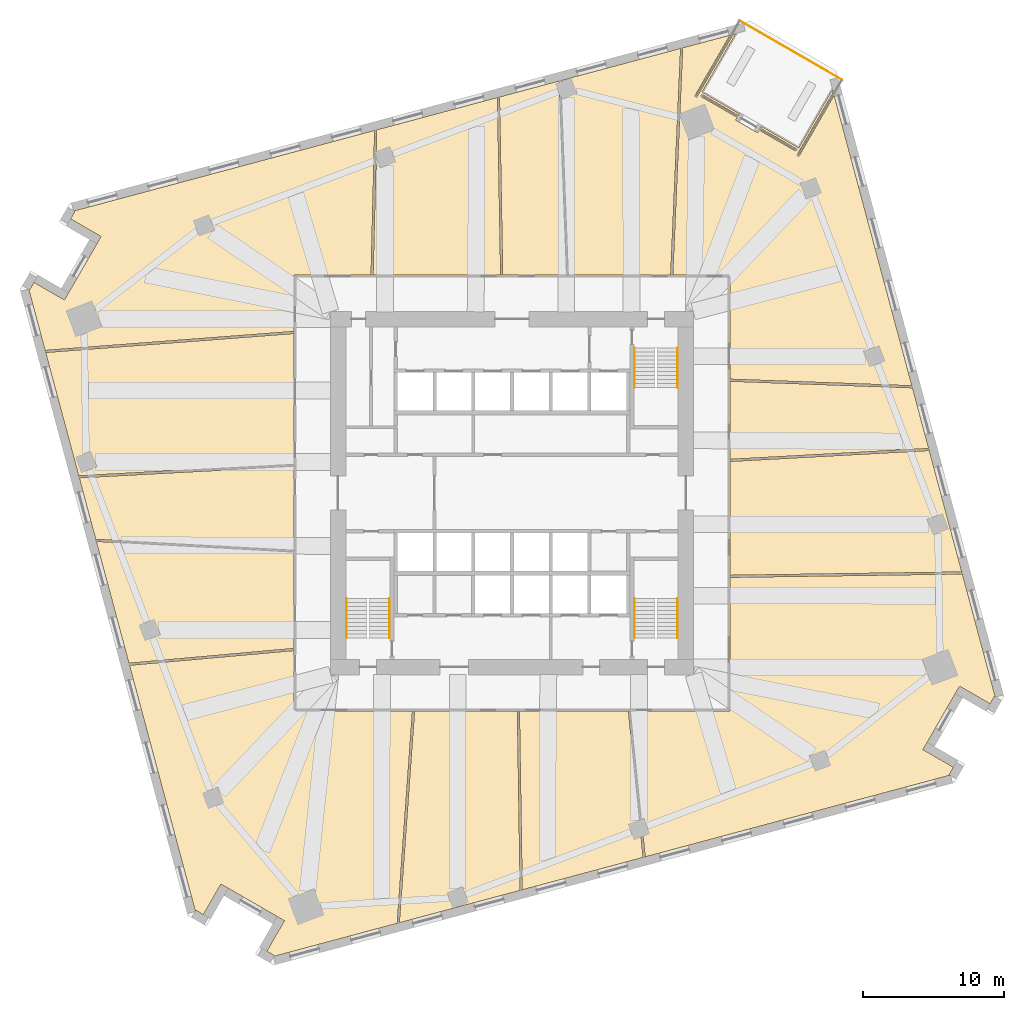
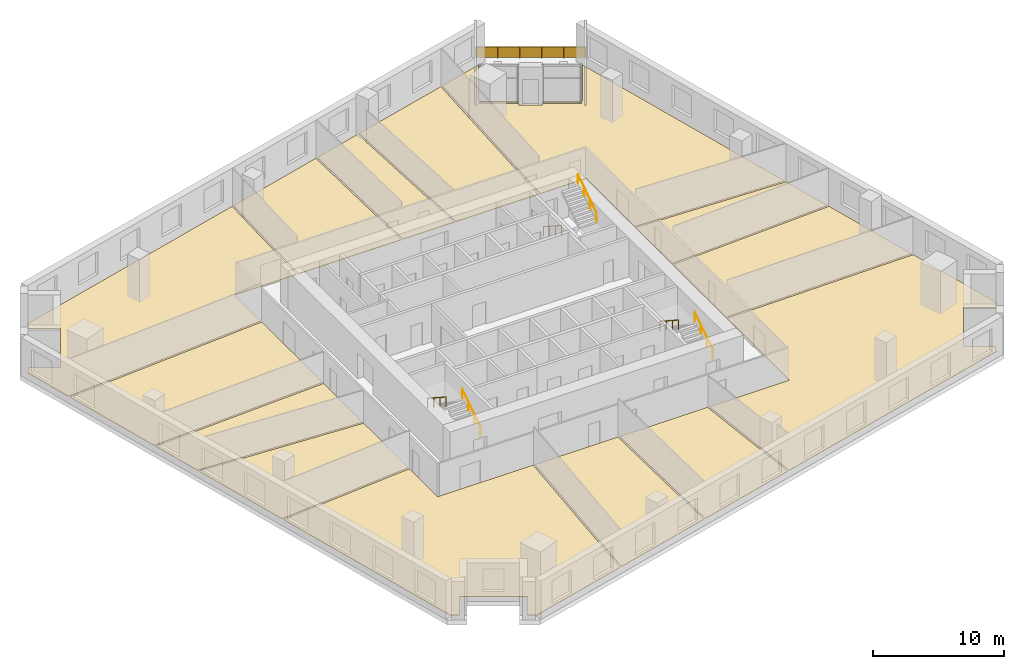
# One storey, part 12 of 13: 14 coverings, 7 railings.
"""IFC4 building model written with IfcOpenShell, lengths in metres."""

from ifc_helpers import new_model, si_unit, direction, frame, origin, origin_2d, place, context, subcontext, project, spatial, polyline, rectangle, circle, outline, extrude, material, layer, layer_set, type_object, element, save


model = new_model("IFC4")

# Units and contexts
model_context = context("Model", 3, precision=1e-05, world=origin(), true_north=direction((0.0, 1.0)))
body_context = subcontext(model_context, "Body", "Model", "MODEL_VIEW")
ifc_project = project(units=[si_unit("LENGTHUNIT", "METRE"), si_unit("AREAUNIT", "SQUARE_METRE"), si_unit("VOLUMEUNIT", "CUBIC_METRE"), si_unit("PLANEANGLEUNIT", "RADIAN"), si_unit("MASSUNIT", "GRAM", prefix="KILO")], contexts=[model_context])

# Site, building, storey
site_placement = place(None, origin())
site = spatial("IfcSite", under=ifc_project, at=site_placement, CompositionType="ELEMENT")
building_placement = place(site_placement, origin())
building = spatial("IfcBuilding", under=site, at=building_placement, Name="Dilmun Exchange Tower", CompositionType="ELEMENT")
storey_placement = place(building_placement, frame((0.0, 0.0, 86.10009765625)))
storey = spatial("IfcBuildingStorey", under=building, at=storey_placement, Name="L19", CompositionType="ELEMENT", Elevation=86.10009765625)

# Coverings
ifc_material_1 = material(Name="Carpet floor finish 50")
ifc_layer_1 = layer(ifc_material_1, 0.050048828125)
ifc_layer_set_1 = layer_set([ifc_layer_1], Name="Carpet floor finish 50")
covering_type_1 = type_object("IfcCoveringType", Name="Carpet floor finish 50", PredefinedType="FLOORING", material=ifc_layer_set_1)
covering_1_placement = place(storey_placement, origin())
element("IfcCovering", 1, at=covering_1_placement, inside=storey, type_object=covering_type_1, Name="Carpet floor finish 50 Analyst office", PredefinedType="FLOORING", context=body_context, shape_type="SweptSolid", body=[
    extrude(outline(polyline([(-15.47509765625, 11.327392578125), (-15.47509765625, 2.050048828125), (-30.764404296875, 1.228759765625), (-33.109619140625, 9.98095703125), (-15.47509765625, 11.327392578125)])), origin(), (0.0, 0.0, 1.0), 0.0498046875),
])
covering_2_placement = place(storey_placement, origin())
element("IfcCovering", 2, at=covering_2_placement, inside=storey, type_object=covering_type_1, Name="Carpet floor finish 50 Break-out lounge 1", PredefinedType="FLOORING", context=body_context, shape_type="SweptSolid", body=[
    extrude(outline(polyline([(-15.47509765625, -4.19921875), (-15.47509765625, -11.030029296875), (-27.197998046875, -12.080322265625), (-29.515380859375, -3.431884765625), (-15.47509765625, -4.19921875)])), origin(), (0.0, 0.0, 1.0), 0.0498046875),
])
covering_3_placement = place(storey_placement, origin())
element("IfcCovering", 3, at=covering_3_placement, inside=storey, type_object=covering_type_1, Name="Carpet floor finish 50 Open office 1", PredefinedType="FLOORING", context=body_context, shape_type="SweptSolid", body=[
    extrude(outline(polyline([(-10.010009765625, 15.47509765625), (-15.47509765625, 15.47509765625), (-15.47509765625, 11.477783203125), (-33.14892578125, 10.12841796875), (-34.311279296875, 14.46630859375), (-34.25, 14.430908203125), (-34.249755859375, 14.4306640625), (-34.24951171875, 14.4306640625), (-34.24951171875, 14.430419921875), (-34.249267578125, 14.430419921875), (-34.2490234375, 14.430419921875), (-34.248779296875, 14.430419921875), (-34.24853515625, 14.430419921875), (-34.248291015625, 14.4306640625), (-34.248291015625, 14.4306640625), (-34.248046875, 14.4306640625), (-34.247802734375, 14.430908203125), (-34.247802734375, 14.430908203125), (-34.24755859375, 14.430908203125), (-34.247314453125, 14.43115234375), (-34.247314453125, 14.431396484375), (-34.247314453125, 14.431396484375), (-33.9423828125, 14.959228515625), (-31.779296875, 13.710205078125), (-31.779052734375, 13.710205078125), (-31.77880859375, 13.7099609375), (-31.77880859375, 13.7099609375), (-31.778564453125, 13.7099609375), (-31.7783203125, 13.7099609375), (-31.778076171875, 13.7099609375), (-31.77783203125, 13.7099609375), (-31.777587890625, 13.7099609375), (-31.777587890625, 13.7099609375), (-31.77734375, 13.710205078125), (-31.777099609375, 13.710205078125), (-31.777099609375, 13.710205078125), (-31.77685546875, 13.71044921875), (-31.776611328125, 13.710693359375), (-31.776611328125, 13.710693359375), (-31.776611328125, 13.7109375), (-31.4765625, 14.23046875), (-29.4765625, 17.694580078125), (-29.476318359375, 17.694580078125), (-29.176513671875, 18.214111328125), (-29.176513671875, 18.21435546875), (-29.17626953125, 18.214599609375), (-29.17626953125, 18.21484375), (-29.17626953125, 18.21484375), (-29.17626953125, 18.215087890625), (-29.17626953125, 18.21533203125), (-29.17626953125, 18.215576171875), (-29.17626953125, 18.2158203125), (-29.17626953125, 18.2158203125), (-29.176513671875, 18.216064453125), (-29.176513671875, 18.21630859375), (-29.176513671875, 18.21630859375), (-29.1767578125, 18.216552734375), (-29.177001953125, 18.216796875), (-29.177001953125, 18.216796875), (-29.17724609375, 18.216796875), (-31.340576171875, 19.4658203125), (-31.035888671875, 19.99365234375), (-31.035888671875, 19.993896484375), (-31.03564453125, 19.993896484375), (-31.03564453125, 19.994140625), (-31.03564453125, 19.994384765625), (-31.03564453125, 19.994384765625), (-31.03564453125, 19.99462890625), (-31.03564453125, 19.994873046875), (-31.03564453125, 19.9951171875), (-31.03564453125, 19.995361328125), (-31.035888671875, 19.99560546875), (-31.035888671875, 19.99560546875), (-31.035888671875, 19.995849609375), (-31.0361328125, 19.99609375), (-31.036376953125, 19.99609375), (-31.036376953125, 19.99609375), (-31.03662109375, 19.996337890625), (-31.097900390625, 20.03173828125), (-9.752685546875, 25.751220703125), (-10.010009765625, 15.47509765625)])), origin(), (0.0, 0.0, 1.0), 0.0498046875),
])
covering_4_placement = place(storey_placement, origin())
element("IfcCovering", 4, at=covering_4_placement, inside=storey, type_object=covering_type_1, Name="Carpet floor finish 50 Open office 2", PredefinedType="FLOORING", context=body_context, shape_type="SweptSolid", body=[
    extrude(outline(polyline([(-15.47509765625, -11.1806640625), (-15.47509765625, -15.47509765625), (-7.068603515625, -15.47509765625), (-8.151611328125, -30.548583984375), (-16.915771484375, -32.897216796875), (-16.88037109375, -32.835693359375), (-16.880126953125, -32.83544921875), (-16.880126953125, -32.835205078125), (-16.8798828125, -32.835205078125), (-16.8798828125, -32.8349609375), (-16.8798828125, -32.834716796875), (-16.8798828125, -32.834716796875), (-16.8798828125, -32.83447265625), (-16.880126953125, -32.834228515625), (-16.880126953125, -32.833984375), (-16.880126953125, -32.833740234375), (-16.88037109375, -32.83349609375), (-16.88037109375, -32.83349609375), (-16.880615234375, -32.833251953125), (-16.880615234375, -32.833251953125), (-16.880859375, -32.8330078125), (-16.881103515625, -32.8330078125), (-17.40869140625, -32.5283203125), (-16.15966796875, -30.364990234375), (-16.15966796875, -30.36474609375), (-16.159423828125, -30.364501953125), (-16.159423828125, -30.364501953125), (-16.159423828125, -30.3642578125), (-16.159423828125, -30.364013671875), (-16.159423828125, -30.364013671875), (-16.159423828125, -30.36376953125), (-16.159423828125, -30.363525390625), (-16.159423828125, -30.36328125), (-16.15966796875, -30.363037109375), (-16.15966796875, -30.36279296875), (-16.159912109375, -30.36279296875), (-16.159912109375, -30.362548828125), (-16.16015625, -30.362548828125), (-16.16015625, -30.3623046875), (-16.160400390625, -30.3623046875), (-16.679931640625, -30.062255859375), (-20.14404296875, -28.062255859375), (-20.144287109375, -28.062255859375), (-20.663818359375, -27.76220703125), (-20.663818359375, -27.76220703125), (-20.6640625, -27.76220703125), (-20.664306640625, -27.761962890625), (-20.664306640625, -27.761962890625), (-20.66455078125, -27.761962890625), (-20.664794921875, -27.761962890625), (-20.6650390625, -27.761962890625), (-20.665283203125, -27.76220703125), (-20.665283203125, -27.76220703125), (-20.66552734375, -27.76220703125), (-20.665771484375, -27.76220703125), (-20.666015625, -27.762451171875), (-20.666015625, -27.762451171875), (-20.666259765625, -27.7626953125), (-20.666259765625, -27.7626953125), (-20.66650390625, -27.762939453125), (-21.915283203125, -29.92626953125), (-22.443115234375, -29.62158203125), (-22.443359375, -29.62158203125), (-22.443603515625, -29.62158203125), (-22.443603515625, -29.621337890625), (-22.44384765625, -29.621337890625), (-22.444091796875, -29.621337890625), (-22.444091796875, -29.621337890625), (-22.4443359375, -29.621337890625), (-22.444580078125, -29.62158203125), (-22.44482421875, -29.62158203125), (-22.445068359375, -29.62158203125), (-22.4453125, -29.62158203125), (-22.4453125, -29.621826171875), (-22.445556640625, -29.621826171875), (-22.445556640625, -29.6220703125), (-22.44580078125, -29.622314453125), (-22.44580078125, -29.622314453125), (-22.481201171875, -29.683837890625), (-27.15869140625, -12.2275390625), (-15.47509765625, -11.1806640625)])), origin(), (0.0, 0.0, 1.0), 0.0498046875),
])
covering_5_placement = place(storey_placement, origin())
element("IfcCovering", 5, at=covering_5_placement, inside=storey, type_object=covering_type_1, Name="Carpet floor finish 50 Break-out lounge 2", PredefinedType="FLOORING", context=body_context, shape_type="SweptSolid", body=[
    extrude(outline(polyline([(-0.80908203125, 15.47509765625), (-9.860107421875, 15.47509765625), (-9.601806640625, 25.791748046875), (-1.0322265625, 28.087890625), (-0.80908203125, 15.47509765625)])), origin(), (0.0, 0.0, 1.0), 0.0498046875),
])
covering_6_placement = place(storey_placement, origin())
element("IfcCovering", 6, at=covering_6_placement, inside=storey, type_object=covering_type_1, Name="Carpet floor finish 50 Garden lounge", PredefinedType="FLOORING", context=body_context, shape_type="SweptSolid", body=[
    extrude(outline(polyline([(13.49267578125, 28.469482421875), (16.144287109375, 26.9384765625), (16.072998046875, 26.814697265625), (13.486083984375, 28.30810546875), (13.48583984375, 28.308349609375), (13.485595703125, 28.308349609375), (13.485595703125, 28.308349609375), (13.4853515625, 28.30859375), (13.485107421875, 28.30859375), (13.48486328125, 28.30859375), (13.484619140625, 28.30859375), (13.484619140625, 28.308349609375), (13.484375, 28.308349609375), (13.484130859375, 28.308349609375), (13.48388671875, 28.30810546875), (13.48388671875, 28.30810546875), (13.483642578125, 28.307861328125), (13.4833984375, 28.307861328125), (13.4833984375, 28.3076171875), (13.4833984375, 28.3076171875), (13.4033203125, 28.1689453125), (13.4033203125, 28.168701171875), (13.403076171875, 28.168701171875), (13.403076171875, 28.16845703125), (13.403076171875, 28.168212890625), (13.403076171875, 28.16796875), (13.403076171875, 28.167724609375), (13.403076171875, 28.16748046875), (13.403076171875, 28.16748046875), (13.403076171875, 28.167236328125), (13.4033203125, 28.1669921875), (13.4033203125, 28.1669921875), (13.4033203125, 28.166748046875), (13.403564453125, 28.16650390625), (13.40380859375, 28.16650390625), (13.40380859375, 28.166259765625), (13.404052734375, 28.166259765625), (15.990966796875, 26.672607421875), (15.882080078125, 26.48388671875), (15.8818359375, 26.483642578125), (15.8818359375, 26.4833984375), (15.881591796875, 26.4833984375), (15.881591796875, 26.483154296875), (15.881591796875, 26.48291015625), (15.881591796875, 26.48291015625), (15.881591796875, 26.482666015625), (15.8818359375, 26.482421875), (15.8818359375, 26.482177734375), (15.8818359375, 26.48193359375), (15.882080078125, 26.481689453125), (15.882080078125, 26.481689453125), (15.882080078125, 26.4814453125), (15.88232421875, 26.4814453125), (15.882568359375, 26.481201171875), (15.8828125, 26.481201171875), (17.44140625, 25.581298828125), (17.441650390625, 25.5810546875), (17.44189453125, 25.5810546875), (17.44189453125, 25.580810546875), (17.442138671875, 25.580810546875), (17.4423828125, 25.580810546875), (17.442626953125, 25.580810546875), (17.44287109375, 25.580810546875), (17.443115234375, 25.5810546875), (17.443115234375, 25.5810546875), (17.443359375, 25.5810546875), (17.443603515625, 25.581298828125), (17.443603515625, 25.581298828125), (17.44384765625, 25.581298828125), (17.444091796875, 25.58154296875), (17.444091796875, 25.581787109375), (17.444091796875, 25.581787109375), (17.55322265625, 25.770751953125), (20.14013671875, 24.277099609375), (20.140380859375, 24.277099609375), (20.140380859375, 24.27685546875), (20.140625, 24.27685546875), (20.140869140625, 24.27685546875), (20.14111328125, 24.27685546875), (20.14111328125, 24.27685546875), (20.141357421875, 24.27685546875), (20.1416015625, 24.27685546875), (20.141845703125, 24.27685546875), (20.14208984375, 24.277099609375), (20.14208984375, 24.277099609375), (20.142333984375, 24.277099609375), (20.142578125, 24.27734375), (20.142578125, 24.277587890625), (20.142578125, 24.277587890625), (20.142822265625, 24.27783203125), (20.222900390625, 24.41650390625), (20.222900390625, 24.41650390625), (20.222900390625, 24.416748046875), (20.222900390625, 24.4169921875), (20.22314453125, 24.4169921875), (20.22314453125, 24.417236328125), (20.22314453125, 24.41748046875), (20.22314453125, 24.417724609375), (20.222900390625, 24.41796875), (20.222900390625, 24.418212890625), (20.222900390625, 24.418212890625), (20.222900390625, 24.41845703125), (20.22265625, 24.418701171875), (20.22265625, 24.418701171875), (20.222412109375, 24.4189453125), (20.222412109375, 24.4189453125), (20.22216796875, 24.419189453125), (17.63525390625, 25.91259765625), (17.706787109375, 26.03662109375), (20.358642578125, 24.505615234375), (22.756103515625, 28.658203125), (22.80859375, 28.462890625), (20.219970703125, 23.979248046875), (20.2197265625, 23.97900390625), (20.2197265625, 23.97900390625), (20.2197265625, 23.978759765625), (20.219482421875, 23.978515625), (20.219482421875, 23.978515625), (20.219482421875, 23.978271484375), (20.219482421875, 23.97802734375), (20.2197265625, 23.977783203125), (20.2197265625, 23.9775390625), (20.2197265625, 23.977294921875), (20.219970703125, 23.977294921875), (20.219970703125, 23.97705078125), (20.22021484375, 23.976806640625), (20.22021484375, 23.976806640625), (20.220458984375, 23.976806640625), (20.220703125, 23.9765625), (20.359130859375, 23.896484375), (20.359375, 23.896484375), (20.359619140625, 23.896484375), (20.359619140625, 23.896484375), (20.35986328125, 23.896240234375), (20.360107421875, 23.896240234375), (20.3603515625, 23.896240234375), (20.360595703125, 23.896240234375), (20.360595703125, 23.896484375), (20.36083984375, 23.896484375), (20.361083984375, 23.896484375), (20.361083984375, 23.896484375), (20.361328125, 23.896728515625), (20.361572265625, 23.896728515625), (20.36181640625, 23.89697265625), (20.36181640625, 23.897216796875), (20.36181640625, 23.897216796875), (22.868408203125, 28.23876953125), (28.392822265625, 7.621337890625), (15.47509765625, 8.08837890625), (15.47509765625, 15.47509765625), (11.4140625, 15.47509765625), (12.1201171875, 31.612060546875), (15.470703125, 32.509765625), (12.964111328125, 28.16845703125), (12.964111328125, 28.168212890625), (12.964111328125, 28.16796875), (12.964111328125, 28.16796875), (12.9638671875, 28.167724609375), (12.9638671875, 28.16748046875), (12.9638671875, 28.167236328125), (12.9638671875, 28.1669921875), (12.964111328125, 28.1669921875), (12.964111328125, 28.166748046875), (12.964111328125, 28.16650390625), (12.964111328125, 28.166259765625), (12.96435546875, 28.166259765625), (12.964599609375, 28.166015625), (12.964599609375, 28.166015625), (12.96484375, 28.165771484375), (12.96484375, 28.165771484375), (13.103515625, 28.085693359375), (13.103759765625, 28.085693359375), (13.103759765625, 28.08544921875), (13.10400390625, 28.08544921875), (13.104248046875, 28.08544921875), (13.1044921875, 28.08544921875), (13.1044921875, 28.08544921875), (13.104736328125, 28.08544921875), (13.10498046875, 28.08544921875), (13.105224609375, 28.08544921875), (13.10546875, 28.085693359375), (13.10546875, 28.085693359375), (13.105712890625, 28.085693359375), (13.105712890625, 28.0859375), (13.10595703125, 28.086181640625), (13.106201171875, 28.086181640625), (13.106201171875, 28.08642578125), (15.694580078125, 32.56982421875), (15.89013671875, 32.622314453125), (13.49267578125, 28.469482421875)])), origin(), (0.0, 0.0, 1.0), 0.0498046875),
])
covering_7_placement = place(storey_placement, origin())
element("IfcCovering", 7, at=covering_7_placement, inside=storey, type_object=covering_type_1, Name="Carpet floor finish 50 Open office 3", PredefinedType="FLOORING", context=body_context, shape_type="SweptSolid", body=[
    extrude(outline(polyline([(8.415283203125, -15.47509765625), (15.47509765625, -15.47509765625), (15.47509765625, -5.986328125), (31.974609375, -5.74560546875), (34.311279296875, -14.46630859375), (34.25, -14.430908203125), (34.249755859375, -14.4306640625), (34.24951171875, -14.4306640625), (34.24951171875, -14.430419921875), (34.249267578125, -14.430419921875), (34.2490234375, -14.430419921875), (34.248779296875, -14.430419921875), (34.24853515625, -14.430419921875), (34.248291015625, -14.4306640625), (34.248291015625, -14.4306640625), (34.248046875, -14.4306640625), (34.247802734375, -14.430908203125), (34.247802734375, -14.430908203125), (34.24755859375, -14.430908203125), (34.247314453125, -14.43115234375), (34.247314453125, -14.431396484375), (34.247314453125, -14.431396484375), (33.9423828125, -14.959228515625), (31.779296875, -13.710205078125), (31.779052734375, -13.710205078125), (31.77880859375, -13.7099609375), (31.77880859375, -13.7099609375), (31.778564453125, -13.7099609375), (31.7783203125, -13.7099609375), (31.778076171875, -13.7099609375), (31.77783203125, -13.7099609375), (31.777587890625, -13.7099609375), (31.777587890625, -13.7099609375), (31.77734375, -13.710205078125), (31.777099609375, -13.710205078125), (31.777099609375, -13.710205078125), (31.77685546875, -13.71044921875), (31.776611328125, -13.710693359375), (31.776611328125, -13.710693359375), (31.776611328125, -13.7109375), (31.4765625, -14.23046875), (29.4765625, -17.694580078125), (29.476318359375, -17.694580078125), (29.176513671875, -18.214111328125), (29.176513671875, -18.21435546875), (29.17626953125, -18.214599609375), (29.17626953125, -18.21484375), (29.17626953125, -18.21484375), (29.17626953125, -18.215087890625), (29.17626953125, -18.21533203125), (29.17626953125, -18.215576171875), (29.17626953125, -18.2158203125), (29.17626953125, -18.2158203125), (29.176513671875, -18.216064453125), (29.176513671875, -18.21630859375), (29.176513671875, -18.21630859375), (29.1767578125, -18.216552734375), (29.177001953125, -18.216796875), (29.177001953125, -18.216796875), (29.17724609375, -18.216796875), (31.340576171875, -19.4658203125), (31.035888671875, -19.99365234375), (31.035888671875, -19.993896484375), (31.03564453125, -19.993896484375), (31.03564453125, -19.994140625), (31.03564453125, -19.994384765625), (31.03564453125, -19.994384765625), (31.03564453125, -19.99462890625), (31.03564453125, -19.994873046875), (31.03564453125, -19.9951171875), (31.03564453125, -19.995361328125), (31.035888671875, -19.99560546875), (31.035888671875, -19.99560546875), (31.035888671875, -19.995849609375), (31.0361328125, -19.99609375), (31.036376953125, -19.99609375), (31.036376953125, -19.99609375), (31.03662109375, -19.996337890625), (31.097900390625, -20.03173828125), (9.455322265625, -25.830810546875), (8.415283203125, -15.47509765625)])), origin(), (0.0, 0.0, 1.0), 0.0498046875),
])
covering_8_placement = place(storey_placement, origin())
element("IfcCovering", 8, at=covering_8_placement, inside=storey, type_object=covering_type_1, Name="Carpet floor finish 50 Meeting room", PredefinedType="FLOORING", context=body_context, shape_type="SweptSolid", body=[
    extrude(outline(polyline([(15.47509765625, 2.395263671875), (15.47509765625, 7.9384765625), (28.43359375, 7.4697265625), (29.5859375, 3.168701171875), (15.47509765625, 2.395263671875)])), origin(), (0.0, 0.0, 1.0), 0.0498046875),
])
covering_9_placement = place(storey_placement, origin())
element("IfcCovering", 9, at=covering_9_placement, inside=storey, type_object=covering_type_1, Name="Carpet floor finish 50 Break-out lounge 3", PredefinedType="FLOORING", context=body_context, shape_type="SweptSolid", body=[
    extrude(outline(polyline([(15.47509765625, -5.836181640625), (15.47509765625, 2.2451171875), (29.625732421875, 3.020751953125), (31.9345703125, -5.59619140625), (15.47509765625, -5.836181640625)])), origin(), (0.0, 0.0, 1.0), 0.0498046875),
])

# Railings
ifc_material_2 = material(Name="Stainless steel", Category="steel")
railing_type_1 = type_object("IfcRailingType", Name="Stair handrail 900", PredefinedType="HANDRAIL", material=ifc_material_2)
railing_1_placement = place(storey_placement, frame((8.699951171875, 10.300048828125, 0.181640625)))
element("IfcRailing", 10, at=railing_1_placement, inside=storey, type_object=railing_type_1, Name="L19 ST1 stair handrail 1", PredefinedType="HANDRAIL", context=body_context, shape_type="SweptSolid", body=[
    extrude(circle(Radius=0.02392578125, at=origin_2d()), frame((0.0, 0.0, 0.8759765625), z_axis=(0.0, -0.838672427954, 0.544636170843), x_axis=(1.0, 0.0, 0.0)), (0.0, 0.0, 1.0), 3.338623046875),
    extrude(circle(Radius=0.02099609375, at=origin_2d()), origin(), (0.0, 0.0, 1.0), 0.851806640625),
    extrude(circle(Radius=0.02099609375, at=origin_2d()), frame((0.0, -0.933349609375, 0.606201171875)), (0.0, 0.0, 1.0), 0.851806640625),
    extrude(circle(Radius=0.02099609375, at=origin_2d()), frame((0.0, -1.86669921875, 1.212158203125)), (0.0, 0.0, 1.0), 0.851806640625),
    extrude(circle(Radius=0.02099609375, at=origin_2d()), frame((0.0, -2.800048828125, 1.818359375)), (0.0, 0.0, 1.0), 0.851806640625),
])
for number, where, name in (
    (11, (11.75, 7.5, 2.181640625), "L19 ST1 stair handrail 2"),
    (12, (-8.699951171875, -10.300048828125, 0.181640625), "L19 ST2 stair handrail 1"),
):
    element("IfcRailing", number, at=place(storey_placement, frame(where)), inside=storey, type_object=railing_type_1, Name=name, PredefinedType="HANDRAIL", context=body_context, shape_type="SweptSolid", body=[
        extrude(circle(Radius=0.02392578125, at=origin_2d()), frame((0.0, 0.0, 0.8759765625), z_axis=(0.0, 0.838672427954, 0.544636170843), x_axis=(-1.0, 0.0, 0.0)), (0.0, 0.0, 1.0), 3.338623046875),
        extrude(circle(Radius=0.02099609375, at=origin_2d()), origin(), (0.0, 0.0, 1.0), 0.851806640625),
        extrude(circle(Radius=0.02099609375, at=origin_2d()), frame((0.0, 0.933349609375, 0.606201171875)), (0.0, 0.0, 1.0), 0.851806640625),
        extrude(circle(Radius=0.02099609375, at=origin_2d()), frame((0.0, 1.86669921875, 1.212158203125)), (0.0, 0.0, 1.0), 0.851806640625),
        extrude(circle(Radius=0.02099609375, at=origin_2d()), frame((0.0, 2.800048828125, 1.818359375)), (0.0, 0.0, 1.0), 0.851806640625),
    ])
railing_2_placement = place(storey_placement, frame((-11.75, -7.5, 2.181640625)))
element("IfcRailing", 13, at=railing_2_placement, inside=storey, type_object=railing_type_1, Name="L19 ST2 stair handrail 2", PredefinedType="HANDRAIL", context=body_context, shape_type="SweptSolid", body=[
    extrude(circle(Radius=0.02392578125, at=origin_2d()), frame((0.0, 0.0, 0.8759765625), z_axis=(0.0, -0.838672427954, 0.544636170843), x_axis=(1.0, 0.0, 0.0)), (0.0, 0.0, 1.0), 3.338623046875),
    extrude(circle(Radius=0.02099609375, at=origin_2d()), origin(), (0.0, 0.0, 1.0), 0.851806640625),
    extrude(circle(Radius=0.02099609375, at=origin_2d()), frame((0.0, -0.933349609375, 0.606201171875)), (0.0, 0.0, 1.0), 0.851806640625),
    extrude(circle(Radius=0.02099609375, at=origin_2d()), frame((0.0, -1.86669921875, 1.212158203125)), (0.0, 0.0, 1.0), 0.851806640625),
    extrude(circle(Radius=0.02099609375, at=origin_2d()), frame((0.0, -2.800048828125, 1.818359375)), (0.0, 0.0, 1.0), 0.851806640625),
])
railing_3_placement = place(storey_placement, frame((11.75, -10.300048828125, 0.181640625)))
element("IfcRailing", 14, at=railing_3_placement, inside=storey, type_object=railing_type_1, Name="L19 ST3 stair handrail 1", PredefinedType="HANDRAIL", context=body_context, shape_type="SweptSolid", body=[
    extrude(circle(Radius=0.02392578125, at=origin_2d()), frame((0.0, 0.0, 0.8759765625), z_axis=(0.0, 0.838672427954, 0.544636170843), x_axis=(-1.0, 0.0, 0.0)), (0.0, 0.0, 1.0), 3.338623046875),
    extrude(circle(Radius=0.02099609375, at=origin_2d()), origin(), (0.0, 0.0, 1.0), 0.851806640625),
    extrude(circle(Radius=0.02099609375, at=origin_2d()), frame((0.0, 0.933349609375, 0.606201171875)), (0.0, 0.0, 1.0), 0.851806640625),
    extrude(circle(Radius=0.02099609375, at=origin_2d()), frame((0.0, 1.86669921875, 1.212158203125)), (0.0, 0.0, 1.0), 0.851806640625),
    extrude(circle(Radius=0.02099609375, at=origin_2d()), frame((0.0, 2.800048828125, 1.818359375)), (0.0, 0.0, 1.0), 0.851806640625),
])
railing_4_placement = place(storey_placement, frame((8.699951171875, -7.5, 2.181640625)))
element("IfcRailing", 15, at=railing_4_placement, inside=storey, type_object=railing_type_1, Name="L19 ST3 stair handrail 2", PredefinedType="HANDRAIL", context=body_context, shape_type="SweptSolid", body=[
    extrude(circle(Radius=0.02392578125, at=origin_2d()), frame((0.0, 0.0, 0.8759765625), z_axis=(0.0, -0.838672427954, 0.544636170843), x_axis=(1.0, 0.0, 0.0)), (0.0, 0.0, 1.0), 3.338623046875),
    extrude(circle(Radius=0.02099609375, at=origin_2d()), origin(), (0.0, 0.0, 1.0), 0.851806640625),
    extrude(circle(Radius=0.02099609375, at=origin_2d()), frame((0.0, -0.933349609375, 0.606201171875)), (0.0, 0.0, 1.0), 0.851806640625),
    extrude(circle(Radius=0.02099609375, at=origin_2d()), frame((0.0, -1.86669921875, 1.212158203125)), (0.0, 0.0, 1.0), 0.851806640625),
    extrude(circle(Radius=0.02099609375, at=origin_2d()), frame((0.0, -2.800048828125, 1.818359375)), (0.0, 0.0, 1.0), 0.851806640625),
])

# Coverings
ifc_material_3 = material(Name="Stone floor finish 50", Category="masonry")
ifc_layer_2 = layer(ifc_material_3, 0.050048828125)
ifc_layer_set_2 = layer_set([ifc_layer_2], Name="Stone floor finish 50")
covering_type_2 = type_object("IfcCoveringType", Name="Stone floor finish 50", PredefinedType="FLOORING", material=ifc_layer_set_2)
covering_10_placement = place(storey_placement, origin())
element("IfcCovering", 16, at=covering_10_placement, inside=storey, type_object=covering_type_2, Name="Stone floor finish 50 Reception 1", PredefinedType="FLOORING", context=body_context, shape_type="SweptSolid", body=[
    extrude(outline(polyline([(-15.47509765625, 1.89990234375), (-15.47509765625, -4.049072265625), (-29.556396484375, -3.279296875), (-30.724609375, 1.08056640625), (-15.47509765625, 1.89990234375)])), origin(), (0.0, 0.0, 1.0), 0.0498046875),
])
covering_11_placement = place(storey_placement, origin())
element("IfcCovering", 17, at=covering_11_placement, inside=storey, type_object=covering_type_2, Name="Stone floor finish 50 Reception 2", PredefinedType="FLOORING", context=body_context, shape_type="SweptSolid", body=[
    extrude(outline(polyline([(-6.918212890625, -15.47509765625), (0.380615234375, -15.47509765625), (0.576904296875, -28.2099609375), (-7.998291015625, -30.507568359375), (-6.918212890625, -15.47509765625)])), origin(), (0.0, 0.0, 1.0), 0.0498046875),
])
covering_12_placement = place(storey_placement, origin())
element("IfcCovering", 18, at=covering_12_placement, inside=storey, type_object=covering_type_2, Name="Stone floor finish 50 Reception 3", PredefinedType="FLOORING", context=body_context, shape_type="SweptSolid", body=[
    extrude(outline(polyline([(3.8603515625, 15.47509765625), (-0.6591796875, 15.47509765625), (-0.8828125, 28.1279296875), (3.32763671875, 29.256103515625), (3.8603515625, 15.47509765625)])), origin(), (0.0, 0.0, 1.0), 0.0498046875),
])
covering_13_placement = place(storey_placement, origin())
element("IfcCovering", 19, at=covering_13_placement, inside=storey, type_object=covering_type_2, Name="Stone floor finish 50 Reception 4", PredefinedType="FLOORING", context=body_context, shape_type="SweptSolid", body=[
    extrude(outline(polyline([(0.530517578125, -15.47509765625), (8.2646484375, -15.47509765625), (9.30859375, -25.870361328125), (0.726318359375, -28.169921875), (0.530517578125, -15.47509765625)])), origin(), (0.0, 0.0, 1.0), 0.0498046875),
])
covering_14_placement = place(storey_placement, origin())
element("IfcCovering", 20, at=covering_14_placement, inside=storey, type_object=covering_type_2, Name="Stone floor finish 50 Reception 5", PredefinedType="FLOORING", context=body_context, shape_type="SweptSolid", body=[
    extrude(outline(polyline([(11.263916015625, 15.47509765625), (4.010498046875, 15.47509765625), (3.476318359375, 29.2958984375), (11.96826171875, 31.5712890625), (11.263916015625, 15.47509765625)])), origin(), (0.0, 0.0, 1.0), 0.0498046875),
])

# Railing
railing_type_2 = type_object("IfcRailingType", Name="Terrace guard 1100 stainless steel", PredefinedType="GUARDRAIL", material=ifc_material_2)
railing_5_placement = place(storey_placement, frame((16.158447265625, 33.537109375, 0.0)))
element("IfcRailing", 21, at=railing_5_placement, inside=storey, type_object=railing_type_2, Name="Terrace guard 1", PredefinedType="GUARDRAIL", context=body_context, shape_type="SweptSolid", body=[
    extrude(circle(Radius=0.02392578125, at=origin_2d()), frame((0.0, 0.0, 1.076171875), z_axis=(0.866023511121, -0.500003278174, 0.0), x_axis=(0.500003278174, 0.866023511121, 0.0)), (0.0, 0.0, 1.0), 8.37841796875),
    extrude(rectangle(XDim=0.011962890625, YDim=0.951904296875, at=origin_2d()), frame((0.0, 0.0, 0.576171875), z_axis=(0.866023511121, -0.500003278174, 0.0), x_axis=(0.500003278174, 0.866023511121, 0.0)), (0.0, 0.0, 1.0), 8.37841796875),
    extrude(circle(Radius=0.02099609375, at=origin_2d()), origin(), (0.0, 0.0, 1.0), 1.052001953125),
    extrude(circle(Radius=0.02099609375, at=origin_2d()), frame((1.451171875, -0.837890625, 0.0)), (0.0, 0.0, 1.0), 1.052001953125),
    extrude(circle(Radius=0.02099609375, at=origin_2d()), frame((2.90234375, -1.67578125, 0.0)), (0.0, 0.0, 1.0), 1.052001953125),
    extrude(circle(Radius=0.02099609375, at=origin_2d()), frame((4.353515625, -2.513427734375, 0.0)), (0.0, 0.0, 1.0), 1.052001953125),
    extrude(circle(Radius=0.02099609375, at=origin_2d()), frame((5.8046875, -3.351318359375, 0.0)), (0.0, 0.0, 1.0), 1.052001953125),
    extrude(circle(Radius=0.02099609375, at=origin_2d()), frame((7.255859375, -4.189208984375, 0.0)), (0.0, 0.0, 1.0), 1.052001953125),
])

save(model, "model.ifc")
